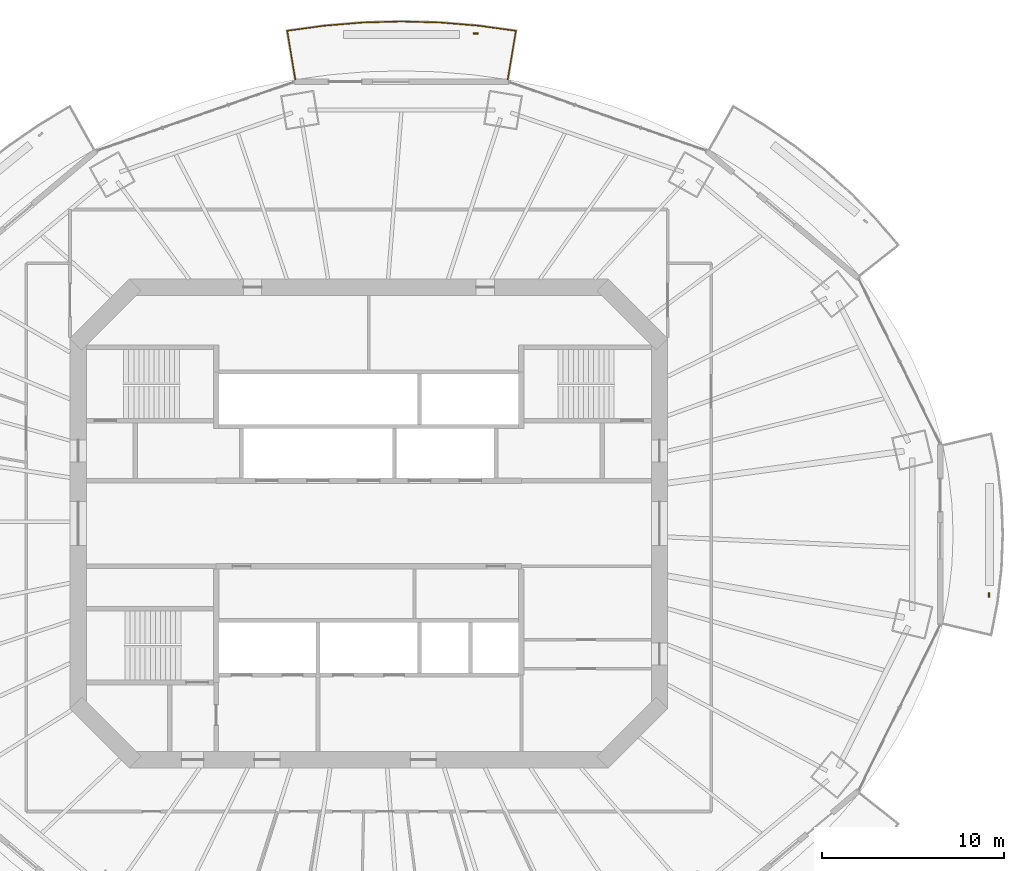
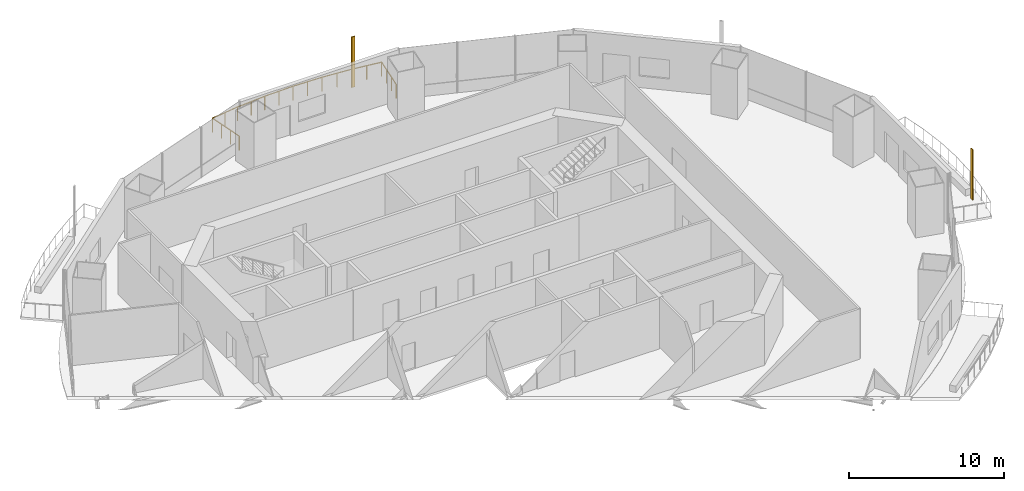
# One storey, part 18 of 19: 2 shading devices, 1 railing.
"""IFC4 building model written with IfcOpenShell, lengths in metres."""

from ifc_helpers import new_model, si_unit, direction, frame, origin, origin_2d, place, context, subcontext, project, spatial, rectangle, circle, extrude, material, material_profile, profile_set, type_object, element, save


model = new_model("IFC4")

# Units and contexts
model_context = context("Model", 3, precision=1e-05, world=origin(), true_north=direction((0.0, 1.0)))
body_context = subcontext(model_context, "Body", "Model", "MODEL_VIEW")
ifc_project = project(units=[si_unit("LENGTHUNIT", "METRE"), si_unit("AREAUNIT", "SQUARE_METRE"), si_unit("VOLUMEUNIT", "CUBIC_METRE"), si_unit("PLANEANGLEUNIT", "RADIAN"), si_unit("MASSUNIT", "GRAM", prefix="KILO")], contexts=[model_context])

# Site, building, storey
site_placement = place(None, origin())
site = spatial("IfcSite", under=ifc_project, at=site_placement, CompositionType="ELEMENT")
building_placement = place(site_placement, origin())
building = spatial("IfcBuilding", under=site, at=building_placement, Name="Marenthal Gate Tower", CompositionType="ELEMENT")
storey_placement = place(building_placement, frame((0.0, 0.0, 239.89990234375)))
storey = spatial("IfcBuildingStorey", under=building, at=storey_placement, Name="L53", CompositionType="ELEMENT", Elevation=239.89990234375)

# Railing
ifc_material_1 = material(Name="Stainless steel", Category="steel")
railing_type = type_object("IfcRailingType", Name="Balcony guard 1100", PredefinedType="GUARDRAIL", material=ifc_material_1)
railing_placement = place(storey_placement, frame((-4.044921875, 24.44189453125, 0.0)))
element("IfcRailing", 1, at=railing_placement, inside=storey, type_object=railing_type, Name="Balcony guard L53 bay 4", PredefinedType="GUARDRAIL", context=body_context, shape_type="SweptSolid", body=[
    extrude(circle(Radius=0.02392578125, at=origin_2d()), frame((0.0, 0.0, 1.076171875), z_axis=(-0.165050845347, 0.98617655719, -0.014629302769), x_axis=(-0.986282103159, -0.165068509984, 0.0)), (0.0, 0.0, 1.0), 2.72021484375),
    extrude(circle(Radius=0.02392578125, at=origin_2d()), frame((-0.448974609375, 2.6826171875, 1.0361328125), z_axis=(0.990644458779, 0.136468151191, 0.0), x_axis=(-0.136468151191, 0.990644458779, 0.0)), (0.0, 0.0, 1.0), 2.05029296875),
    extrude(circle(Radius=0.02392578125, at=origin_2d()), frame((1.58203125, 2.96240234375, 1.0361328125), z_axis=(0.996593709479, 0.082468043674, 0.0), x_axis=(-0.082468043674, 0.996593709479, 0.0)), (0.0, 0.0, 1.0), 2.134521484375),
    extrude(circle(Radius=0.02392578125, at=origin_2d()), frame((3.709228515625, 3.138427734375, 1.0361328125), z_axis=(0.999623877025, 0.027424523375, 0.0), x_axis=(-0.027424523375, 0.999623877025, 0.0)), (0.0, 0.0, 1.0), 2.136474609375),
    extrude(circle(Radius=0.02392578125, at=origin_2d()), frame((5.844970703125, 3.197021484375, 1.0361328125), z_axis=(0.999623877025, -0.027424523375, 0.0), x_axis=(0.027424523375, 0.999623877025, 0.0)), (0.0, 0.0, 1.0), 2.136474609375),
    extrude(circle(Radius=0.02392578125, at=origin_2d()), frame((7.980712890625, 3.138427734375, 1.0361328125), z_axis=(0.996592931449, -0.082477445314, 0.0), x_axis=(0.082477445314, 0.996592931449, 0.0)), (0.0, 0.0, 1.0), 2.13427734375),
    extrude(circle(Radius=0.02392578125, at=origin_2d()), frame((10.107666015625, 2.96240234375, 1.0361328125), z_axis=(0.990644458779, -0.136468151191, 0.0), x_axis=(0.136468151191, 0.990644458779, 0.0)), (0.0, 0.0, 1.0), 2.05029296875),
    extrude(circle(Radius=0.02392578125, at=origin_2d()), frame((12.138671875, 2.6826171875, 1.0361328125), z_axis=(-0.164963538042, -0.986191162137, 0.014629519424), x_axis=(0.986296712796, -0.164981193859, 0.0)), (0.0, 0.0, 1.0), 2.72021484375),
    extrude(circle(Radius=0.02099609375, at=origin_2d()), origin(), (0.0, 0.0, 1.0), 1.052001953125),
    extrude(circle(Radius=0.02099609375, at=origin_2d()), frame((-0.149658203125, 0.894287109375, -0.01318359375)), (0.0, 0.0, 1.0), 1.052001953125),
    extrude(circle(Radius=0.02099609375, at=origin_2d()), frame((-0.29931640625, 1.788330078125, -0.026611328125)), (0.0, 0.0, 1.0), 1.052001953125),
    extrude(circle(Radius=0.02099609375, at=origin_2d()), frame((-0.448974609375, 2.6826171875, -0.039794921875)), (0.0, 0.0, 1.0), 1.052001953125),
    extrude(circle(Radius=0.02099609375, at=origin_2d()), frame((0.56640625, 2.822509765625, -0.039794921875)), (0.0, 0.0, 1.0), 1.052001953125),
    extrude(circle(Radius=0.02099609375, at=origin_2d()), frame((1.58203125, 2.96240234375, -0.039794921875)), (0.0, 0.0, 1.0), 1.052001953125),
    extrude(circle(Radius=0.02099609375, at=origin_2d()), frame((2.6455078125, 3.05029296875, -0.039794921875)), (0.0, 0.0, 1.0), 1.052001953125),
    extrude(circle(Radius=0.02099609375, at=origin_2d()), frame((3.709228515625, 3.138427734375, -0.039794921875)), (0.0, 0.0, 1.0), 1.052001953125),
    extrude(circle(Radius=0.02099609375, at=origin_2d()), frame((4.777099609375, 3.167724609375, -0.039794921875)), (0.0, 0.0, 1.0), 1.052001953125),
    extrude(circle(Radius=0.02099609375, at=origin_2d()), frame((5.844970703125, 3.197021484375, -0.039794921875)), (0.0, 0.0, 1.0), 1.052001953125),
    extrude(circle(Radius=0.02099609375, at=origin_2d()), frame((6.912841796875, 3.167724609375, -0.039794921875)), (0.0, 0.0, 1.0), 1.052001953125),
    extrude(circle(Radius=0.02099609375, at=origin_2d()), frame((7.980712890625, 3.138427734375, -0.039794921875)), (0.0, 0.0, 1.0), 1.052001953125),
    extrude(circle(Radius=0.02099609375, at=origin_2d()), frame((9.044189453125, 3.05029296875, -0.039794921875)), (0.0, 0.0, 1.0), 1.052001953125),
    extrude(circle(Radius=0.02099609375, at=origin_2d()), frame((10.107666015625, 2.96240234375, -0.039794921875)), (0.0, 0.0, 1.0), 1.052001953125),
    extrude(circle(Radius=0.02099609375, at=origin_2d()), frame((11.123046875, 2.822509765625, -0.039794921875)), (0.0, 0.0, 1.0), 1.052001953125),
    extrude(circle(Radius=0.02099609375, at=origin_2d()), frame((12.138671875, 2.6826171875, -0.039794921875)), (0.0, 0.0, 1.0), 1.052001953125),
    extrude(circle(Radius=0.02099609375, at=origin_2d()), frame((11.989013671875, 1.788330078125, -0.026611328125)), (0.0, 0.0, 1.0), 1.052001953125),
    extrude(circle(Radius=0.02099609375, at=origin_2d()), frame((11.839599609375, 0.894287109375, -0.01318359375)), (0.0, 0.0, 1.0), 1.052001953125),
    extrude(circle(Radius=0.02099609375, at=origin_2d()), frame((11.68994140625, 0.0, 0.0)), (0.0, 0.0, 1.0), 1.052001953125),
])

# Shading devices
ifc_material_2 = material(Name="Terracotta", Category="masonry")
ifc_material_profile = material_profile(ifc_material_2, rectangle(XDim=0.25, YDim=0.080078125, at=origin_2d()), Name="Terracotta baguette 250x80")
ifc_profile_set = profile_set([ifc_material_profile], Name="Terracotta")
shading_device_type = type_object("IfcShadingDeviceType", Name="Terracotta BAGUETTE SCREEN 250x80", PredefinedType="USERDEFINED", material=ifc_profile_set)
for number, where, z_axis, x_axis, name in (
    (2, (5.885498046875, 26.964111328125, -0.039794921875), (0.0, 0.0, 1.0), (-1.0, 0.0, 0.0), "Terracotta BAGUETTE L53 bay 4L"),
    (3, (34.133056640625, -3.92333984375, -0.039794921875), (0.0, 0.0, 1.0), (0.0, 1.0, 0.0), "Terracotta BAGUETTE L53 bay 16L"),
):
    element("IfcShadingDevice", number, at=place(storey_placement, frame(where, z_axis=z_axis, x_axis=x_axis)), inside=storey, type_object=shading_device_type, Name=name, ObjectType="BAGUETTE SCREEN", PredefinedType="USERDEFINED", context=body_context, shape_type="SweptSolid", body=[
        extrude(rectangle(XDim=0.25, YDim=0.080078125, at=origin_2d()), origin(), (0.0, 0.0, 1.0), 3.969970703125),
    ])

save(model, "model.ifc")
